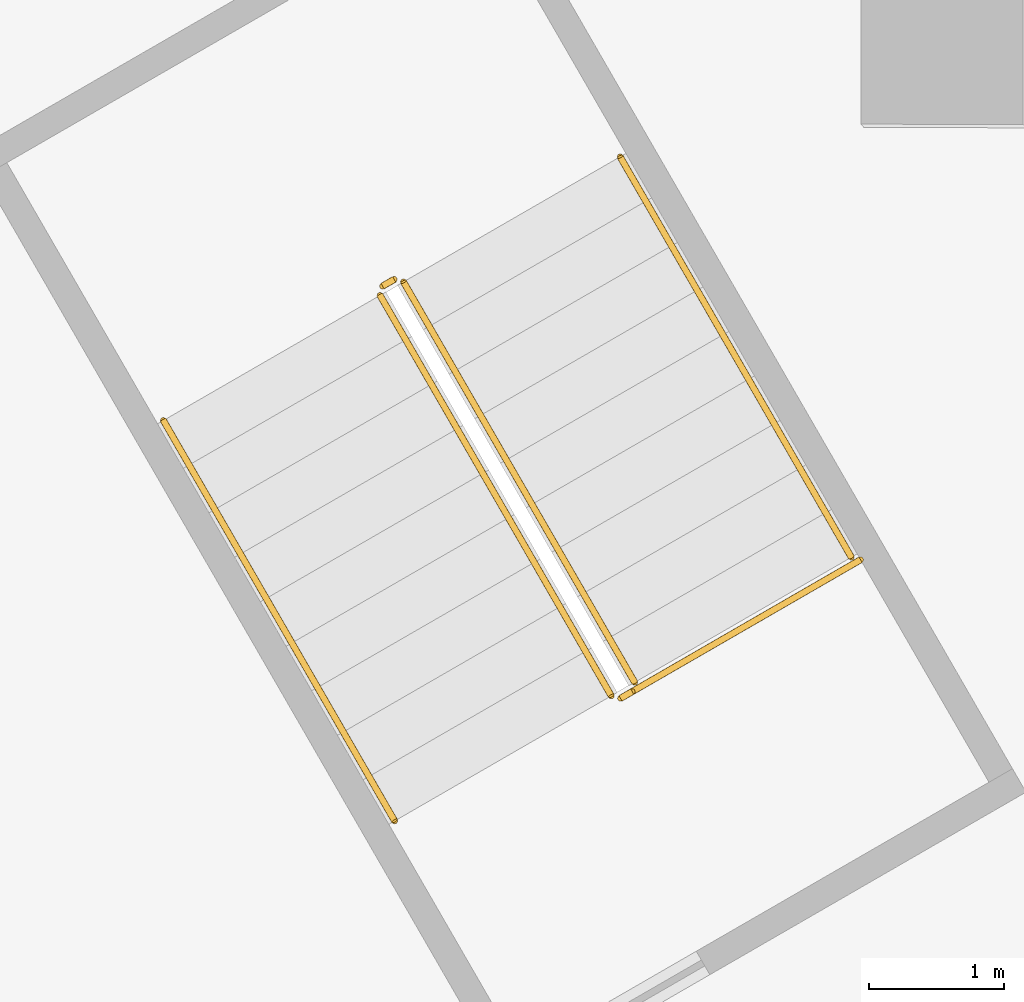
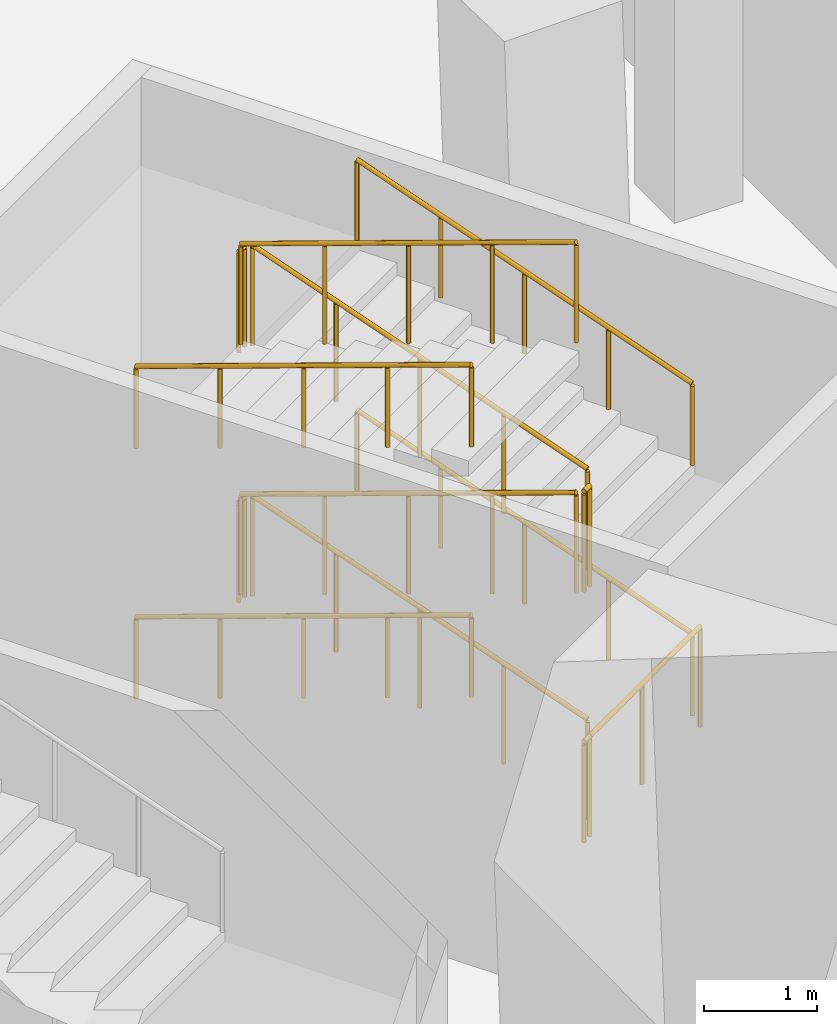
# One storey, part 23 of 35: 13 railings.
"""IFC4 building model written with IfcOpenShell, lengths in metres."""

from ifc_helpers import new_model, si_unit, direction, frame, origin, origin_2d, place, context, subcontext, project, spatial, circle, extrude, material, type_object, element, save


model = new_model("IFC4")

# Units and contexts
model_context = context("Model", 3, precision=1e-05, world=origin(), true_north=direction((0.0, 1.0)))
body_context = subcontext(model_context, "Body", "Model", "MODEL_VIEW")
ifc_project = project(units=[si_unit("LENGTHUNIT", "METRE"), si_unit("AREAUNIT", "SQUARE_METRE"), si_unit("VOLUMEUNIT", "CUBIC_METRE"), si_unit("PLANEANGLEUNIT", "RADIAN"), si_unit("MASSUNIT", "GRAM", prefix="KILO")], contexts=[model_context])

# Site, building, storey
site_placement = place(None, origin())
site = spatial("IfcSite", under=ifc_project, at=site_placement, CompositionType="ELEMENT")
building_placement = place(site_placement, origin())
building = spatial("IfcBuilding", under=site, at=building_placement, Name="Jabali Bay Hotel Tower and Convention Centre", CompositionType="ELEMENT")
storey_placement = place(building_placement, frame((0.0, 0.0, 15.0)))
storey = spatial("IfcBuildingStorey", under=building, at=storey_placement, Name="L02", CompositionType="ELEMENT", Elevation=15.0)

# Railings
ifc_material = material(Name="Steel Q355B", Category="steel")
railing_type_1 = type_object("IfcRailingType", Name="Stair guard 1100", PredefinedType="GUARDRAIL", material=ifc_material)
railing_1_placement = place(storey_placement, frame((98.72607421875, 51.205322265625, 0.0)))
element("IfcRailing", 1, at=railing_1_placement, inside=storey, type_object=railing_type_1, Name="L02 PS5 top well guard 1", PredefinedType="GUARDRAIL", context=body_context, shape_type="SweptSolid", body=[
    extrude(circle(Radius=0.02392578125, at=origin_2d()), frame((0.0, 0.0, 1.076171875), z_axis=(-0.865999163574, -0.500045446624, 0.0), x_axis=(0.500045446624, -0.865999163574, 0.0)), (0.0, 0.0, 1.0), 2.050048828125),
    extrude(circle(Radius=0.02099609375, at=origin_2d()), origin(), (0.0, 0.0, 1.0), 1.052001953125),
    extrude(circle(Radius=0.02099609375, at=origin_2d()), frame((-0.8876953125, -0.5126953125, 0.0)), (0.0, 0.0, 1.0), 1.052001953125),
    extrude(circle(Radius=0.02099609375, at=origin_2d()), frame((-1.775390625, -1.025146484375, 0.0)), (0.0, 0.0, 1.0), 1.052001953125),
])
railing_2_placement = place(storey_placement, frame((97.0556640625, 50.298583984375, 0.135009765625)))
element("IfcRailing", 2, at=railing_2_placement, inside=storey, type_object=railing_type_1, Name="L02 PS5 stair guard 1", PredefinedType="GUARDRAIL", context=body_context, shape_type="SweptSolid", body=[
    extrude(circle(Radius=0.02392578125, at=origin_2d()), frame((0.0, 0.0, 1.076171875), z_axis=(-0.471153129976, 0.816042064498, 0.334798561949), x_axis=(-0.866020337685, -0.500008774639, 0.0)), (0.0, 0.0, 1.0), 3.62939453125),
    extrude(circle(Radius=0.02099609375, at=origin_2d()), origin(), (0.0, 0.0, 1.0), 1.052001953125),
    extrude(circle(Radius=0.02099609375, at=origin_2d()), frame((-0.427490234375, 0.740478515625, 0.3037109375)), (0.0, 0.0, 1.0), 1.052001953125),
    extrude(circle(Radius=0.02099609375, at=origin_2d()), frame((-0.85498046875, 1.48095703125, 0.607421875)), (0.0, 0.0, 1.0), 1.052001953125),
    extrude(circle(Radius=0.02099609375, at=origin_2d()), frame((-1.282470703125, 2.22119140625, 0.911376953125)), (0.0, 0.0, 1.0), 1.052001953125),
    extrude(circle(Radius=0.02099609375, at=origin_2d()), frame((-1.7099609375, 2.961669921875, 1.215087890625)), (0.0, 0.0, 1.0), 1.052001953125),
])
railing_3_placement = place(storey_placement, frame((95.27734375, 53.278564453125, 1.35009765625)))
element("IfcRailing", 3, at=railing_3_placement, inside=storey, type_object=railing_type_1, Name="L02 PS5 stair guard 2", PredefinedType="GUARDRAIL", context=body_context, shape_type="SweptSolid", body=[
    extrude(circle(Radius=0.02392578125, at=origin_2d()), frame((0.0, 0.0, 1.076171875), z_axis=(-0.867038199201, -0.4982416694, 0.0), x_axis=(0.4982416694, -0.867038199201, 0.0)), (0.0, 0.0, 1.0), 0.099853515625),
    extrude(circle(Radius=0.02099609375, at=origin_2d()), origin(), (0.0, 0.0, 1.0), 1.052001953125),
    extrude(circle(Radius=0.02099609375, at=origin_2d()), frame((-0.086669921875, -0.0498046875, 0.0)), (0.0, 0.0, 1.0), 1.052001953125),
])
railing_4_placement = place(storey_placement, frame((95.17236328125, 53.160400390625, 1.485107421875)))
element("IfcRailing", 4, at=railing_4_placement, inside=storey, type_object=railing_type_1, Name="L02 PS5 stair guard 3", PredefinedType="GUARDRAIL", context=body_context, shape_type="SweptSolid", body=[
    extrude(circle(Radius=0.02392578125, at=origin_2d()), frame((0.0, 0.0, 1.076171875), z_axis=(0.47113787602, -0.81608291146, 0.334720455607), x_axis=(0.866038183914, 0.499977863513, 0.0)), (0.0, 0.0, 1.0), 3.62939453125),
    extrude(circle(Radius=0.02099609375, at=origin_2d()), origin(), (0.0, 0.0, 1.0), 1.052001953125),
    extrude(circle(Radius=0.02099609375, at=origin_2d()), frame((0.427490234375, -0.740478515625, 0.3037109375)), (0.0, 0.0, 1.0), 1.052001953125),
    extrude(circle(Radius=0.02099609375, at=origin_2d()), frame((0.85498046875, -1.48095703125, 0.607421875)), (0.0, 0.0, 1.0), 1.052001953125),
    extrude(circle(Radius=0.02099609375, at=origin_2d()), frame((1.282470703125, -2.221435546875, 0.9111328125)), (0.0, 0.0, 1.0), 1.052001953125),
    extrude(circle(Radius=0.02099609375, at=origin_2d()), frame((1.7099609375, -2.9619140625, 1.21484375)), (0.0, 0.0, 1.0), 1.052001953125),
])
railing_5_placement = place(storey_placement, frame((97.037353515625, 50.230224609375, 2.699951171875)))
element("IfcRailing", 5, at=railing_5_placement, inside=storey, type_object=railing_type_1, Name="L02 PS5 stair guard 4", PredefinedType="GUARDRAIL", context=body_context, shape_type="SweptSolid", body=[
    extrude(circle(Radius=0.02392578125, at=origin_2d()), frame((0.0, 0.0, 1.076171875), z_axis=(-0.865982457891, -0.500074377092, 0.0), x_axis=(0.500074377092, -0.865982457891, 0.0)), (0.0, 0.0, 1.0), 0.10009765625),
    extrude(circle(Radius=0.02099609375, at=origin_2d()), origin(), (0.0, 0.0, 1.0), 1.052001953125),
    extrude(circle(Radius=0.02099609375, at=origin_2d()), frame((-0.086669921875, -0.050048828125, 0.0)), (0.0, 0.0, 1.0), 1.052001953125),
])
railing_6_placement = place(storey_placement, frame((97.0556640625, 50.298583984375, 2.8349609375)))
element("IfcRailing", 6, at=railing_6_placement, inside=storey, type_object=railing_type_1, Name="L02 PS5 stair guard 5", PredefinedType="GUARDRAIL", context=body_context, shape_type="SweptSolid", body=[
    extrude(circle(Radius=0.02392578125, at=origin_2d()), frame((0.0, 0.0, 1.076171875), z_axis=(-0.471153129976, 0.816042064498, 0.334798561949), x_axis=(-0.866020337685, -0.500008774639, 0.0)), (0.0, 0.0, 1.0), 3.62939453125),
    extrude(circle(Radius=0.02099609375, at=origin_2d()), origin(), (0.0, 0.0, 1.0), 1.052001953125),
    extrude(circle(Radius=0.02099609375, at=origin_2d()), frame((-0.427490234375, 0.740478515625, 0.3037109375)), (0.0, 0.0, 1.0), 1.052001953125),
    extrude(circle(Radius=0.02099609375, at=origin_2d()), frame((-0.85498046875, 1.48095703125, 0.607421875)), (0.0, 0.0, 1.0), 1.052001953125),
    extrude(circle(Radius=0.02099609375, at=origin_2d()), frame((-1.282470703125, 2.22119140625, 0.911376953125)), (0.0, 0.0, 1.0), 1.052001953125),
    extrude(circle(Radius=0.02099609375, at=origin_2d()), frame((-1.7099609375, 2.961669921875, 1.215087890625)), (0.0, 0.0, 1.0), 1.052001953125),
])
railing_7_placement = place(storey_placement, frame((95.27734375, 53.278564453125, 4.050048828125)))
element("IfcRailing", 7, at=railing_7_placement, inside=storey, type_object=railing_type_1, Name="L02 PS5 stair guard 6", PredefinedType="GUARDRAIL", context=body_context, shape_type="SweptSolid", body=[
    extrude(circle(Radius=0.02392578125, at=origin_2d()), frame((0.0, 0.0, 1.076171875), z_axis=(-0.867038199201, -0.4982416694, 0.0), x_axis=(0.4982416694, -0.867038199201, 0.0)), (0.0, 0.0, 1.0), 0.099853515625),
    extrude(circle(Radius=0.02099609375, at=origin_2d()), origin(), (0.0, 0.0, 1.0), 1.052001953125),
    extrude(circle(Radius=0.02099609375, at=origin_2d()), frame((-0.086669921875, -0.0498046875, 0.0)), (0.0, 0.0, 1.0), 1.052001953125),
])
railing_8_placement = place(storey_placement, frame((95.17236328125, 53.160400390625, 4.18505859375)))
element("IfcRailing", 8, at=railing_8_placement, inside=storey, type_object=railing_type_1, Name="L02 PS5 stair guard 7", PredefinedType="GUARDRAIL", context=body_context, shape_type="SweptSolid", body=[
    extrude(circle(Radius=0.02392578125, at=origin_2d()), frame((0.0, 0.0, 1.076171875), z_axis=(0.47113787602, -0.81608291146, 0.334720455607), x_axis=(0.866038183914, 0.499977863513, 0.0)), (0.0, 0.0, 1.0), 3.62939453125),
    extrude(circle(Radius=0.02099609375, at=origin_2d()), origin(), (0.0, 0.0, 1.0), 1.052001953125),
    extrude(circle(Radius=0.02099609375, at=origin_2d()), frame((0.427490234375, -0.740478515625, 0.3037109375)), (0.0, 0.0, 1.0), 1.052001953125),
    extrude(circle(Radius=0.02099609375, at=origin_2d()), frame((0.85498046875, -1.48095703125, 0.607421875)), (0.0, 0.0, 1.0), 1.052001953125),
    extrude(circle(Radius=0.02099609375, at=origin_2d()), frame((1.282470703125, -2.221435546875, 0.9111328125)), (0.0, 0.0, 1.0), 1.052001953125),
    extrude(circle(Radius=0.02099609375, at=origin_2d()), frame((1.7099609375, -2.9619140625, 1.21484375)), (0.0, 0.0, 1.0), 1.052001953125),
])
railing_9_placement = place(storey_placement, frame((97.037353515625, 50.230224609375, 0.0)))
element("IfcRailing", 9, at=railing_9_placement, inside=storey, type_object=railing_type_1, Name="L02 PS5 stair guard 8", PredefinedType="GUARDRAIL", context=body_context, shape_type="SweptSolid", body=[
    extrude(circle(Radius=0.02392578125, at=origin_2d()), frame((0.0, 0.0, 1.076171875), z_axis=(-0.865982457891, -0.500074377092, 0.0), x_axis=(0.500074377092, -0.865982457891, 0.0)), (0.0, 0.0, 1.0), 0.10009765625),
    extrude(circle(Radius=0.02099609375, at=origin_2d()), origin(), (0.0, 0.0, 1.0), 1.052001953125),
    extrude(circle(Radius=0.02099609375, at=origin_2d()), frame((-0.086669921875, -0.050048828125, 0.0)), (0.0, 0.0, 1.0), 1.052001953125),
])
railing_type_2 = type_object("IfcRailingType", Name="Stair handrail 900", PredefinedType="HANDRAIL", material=ifc_material)
railing_10_placement = place(storey_placement, frame((98.65771484375, 51.2236328125, 0.135009765625)))
element("IfcRailing", 10, at=railing_10_placement, inside=storey, type_object=railing_type_2, Name="L02 PS5 stair handrail 1", PredefinedType="HANDRAIL", context=body_context, shape_type="SweptSolid", body=[
    extrude(circle(Radius=0.02392578125, at=origin_2d()), frame((0.0, 0.0, 0.8759765625), z_axis=(-0.471153129976, 0.816042064498, 0.334798561949), x_axis=(-0.866020337685, -0.500008774639, 0.0)), (0.0, 0.0, 1.0), 3.62939453125),
    extrude(circle(Radius=0.02099609375, at=origin_2d()), origin(), (0.0, 0.0, 1.0), 0.851806640625),
    extrude(circle(Radius=0.02099609375, at=origin_2d()), frame((-0.427490234375, 0.740478515625, 0.3037109375)), (0.0, 0.0, 1.0), 0.851806640625),
    extrude(circle(Radius=0.02099609375, at=origin_2d()), frame((-0.85498046875, 1.48095703125, 0.607421875)), (0.0, 0.0, 1.0), 0.851806640625),
    extrude(circle(Radius=0.02099609375, at=origin_2d()), frame((-1.282470703125, 2.22119140625, 0.911376953125)), (0.0, 0.0, 1.0), 0.851806640625),
    extrude(circle(Radius=0.02099609375, at=origin_2d()), frame((-1.7099609375, 2.961669921875, 1.215087890625)), (0.0, 0.0, 1.0), 0.851806640625),
])
railing_11_placement = place(storey_placement, frame((93.5703125, 52.2353515625, 1.485107421875)))
element("IfcRailing", 11, at=railing_11_placement, inside=storey, type_object=railing_type_2, Name="L02 PS5 stair handrail 2", PredefinedType="HANDRAIL", context=body_context, shape_type="SweptSolid", body=[
    extrude(circle(Radius=0.02392578125, at=origin_2d()), frame((0.0, 0.0, 0.8759765625), z_axis=(0.471163740398, -0.816060441857, 0.334738830985), x_axis=(0.866020337685, 0.500008774639, 0.0)), (0.0, 0.0, 1.0), 3.629150390625),
    extrude(circle(Radius=0.02099609375, at=origin_2d()), origin(), (0.0, 0.0, 1.0), 0.851806640625),
    extrude(circle(Radius=0.02099609375, at=origin_2d()), frame((0.427490234375, -0.740478515625, 0.3037109375)), (0.0, 0.0, 1.0), 0.851806640625),
    extrude(circle(Radius=0.02099609375, at=origin_2d()), frame((0.85498046875, -1.48095703125, 0.607421875)), (0.0, 0.0, 1.0), 0.851806640625),
    extrude(circle(Radius=0.02099609375, at=origin_2d()), frame((1.282470703125, -2.22119140625, 0.9111328125)), (0.0, 0.0, 1.0), 0.851806640625),
    extrude(circle(Radius=0.02099609375, at=origin_2d()), frame((1.7099609375, -2.961669921875, 1.21484375)), (0.0, 0.0, 1.0), 0.851806640625),
])
railing_12_placement = place(storey_placement, frame((98.65771484375, 51.2236328125, 2.8349609375)))
element("IfcRailing", 12, at=railing_12_placement, inside=storey, type_object=railing_type_2, Name="L02 PS5 stair handrail 3", PredefinedType="HANDRAIL", context=body_context, shape_type="SweptSolid", body=[
    extrude(circle(Radius=0.02392578125, at=origin_2d()), frame((0.0, 0.0, 0.8759765625), z_axis=(-0.471153129976, 0.816042064498, 0.334798561949), x_axis=(-0.866020337685, -0.500008774639, 0.0)), (0.0, 0.0, 1.0), 3.62939453125),
    extrude(circle(Radius=0.02099609375, at=origin_2d()), origin(), (0.0, 0.0, 1.0), 0.851806640625),
    extrude(circle(Radius=0.02099609375, at=origin_2d()), frame((-0.427490234375, 0.740478515625, 0.3037109375)), (0.0, 0.0, 1.0), 0.851806640625),
    extrude(circle(Radius=0.02099609375, at=origin_2d()), frame((-0.85498046875, 1.48095703125, 0.607421875)), (0.0, 0.0, 1.0), 0.851806640625),
    extrude(circle(Radius=0.02099609375, at=origin_2d()), frame((-1.282470703125, 2.22119140625, 0.911376953125)), (0.0, 0.0, 1.0), 0.851806640625),
    extrude(circle(Radius=0.02099609375, at=origin_2d()), frame((-1.7099609375, 2.961669921875, 1.215087890625)), (0.0, 0.0, 1.0), 0.851806640625),
])
railing_13_placement = place(storey_placement, frame((93.5703125, 52.2353515625, 4.18505859375)))
element("IfcRailing", 13, at=railing_13_placement, inside=storey, type_object=railing_type_2, Name="L02 PS5 stair handrail 4", PredefinedType="HANDRAIL", context=body_context, shape_type="SweptSolid", body=[
    extrude(circle(Radius=0.02392578125, at=origin_2d()), frame((0.0, 0.0, 0.8759765625), z_axis=(0.471163740398, -0.816060441857, 0.334738830985), x_axis=(0.866020337685, 0.500008774639, 0.0)), (0.0, 0.0, 1.0), 3.629150390625),
    extrude(circle(Radius=0.02099609375, at=origin_2d()), origin(), (0.0, 0.0, 1.0), 0.851806640625),
    extrude(circle(Radius=0.02099609375, at=origin_2d()), frame((0.427490234375, -0.740478515625, 0.3037109375)), (0.0, 0.0, 1.0), 0.851806640625),
    extrude(circle(Radius=0.02099609375, at=origin_2d()), frame((0.85498046875, -1.48095703125, 0.607421875)), (0.0, 0.0, 1.0), 0.851806640625),
    extrude(circle(Radius=0.02099609375, at=origin_2d()), frame((1.282470703125, -2.22119140625, 0.9111328125)), (0.0, 0.0, 1.0), 0.851806640625),
    extrude(circle(Radius=0.02099609375, at=origin_2d()), frame((1.7099609375, -2.961669921875, 1.21484375)), (0.0, 0.0, 1.0), 0.851806640625),
])

save(model, "model.ifc")
